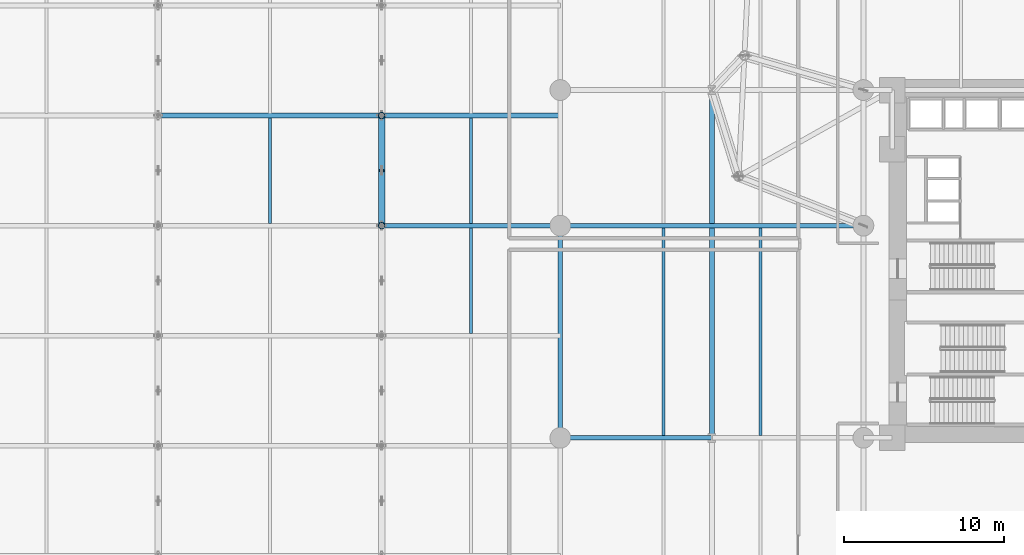
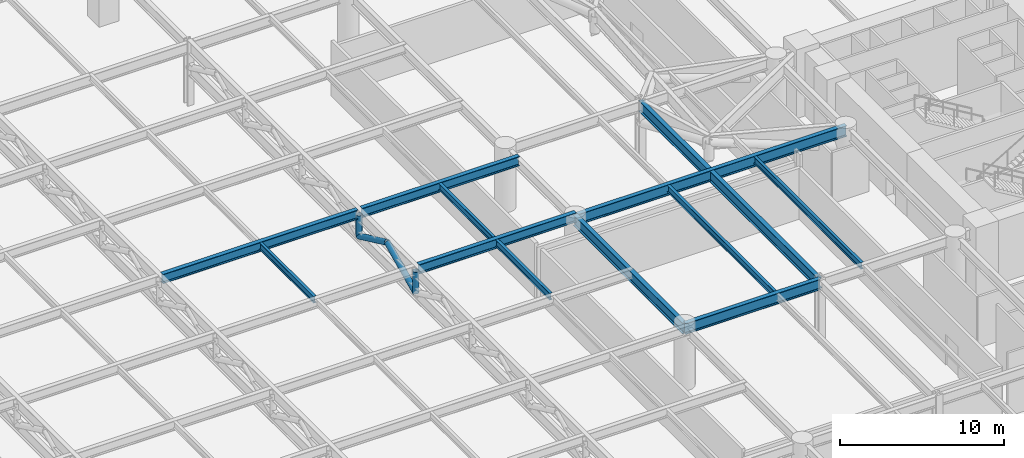
# One storey, part 15 of 40: 12 beams, 4 members.
"""IFC4 building model written with IfcOpenShell, lengths in metres."""

from ifc_helpers import new_model, si_unit, direction, frame, origin, origin_2d, place, context, subcontext, project, spatial, hollow_circle, i_section, extrude, material, material_profile, profile_set, type_object, element, save


model = new_model("IFC4")

# Units and contexts
model_context = context("Model", 3, precision=1e-05, world=origin(), true_north=direction((0.0, 1.0)))
body_context = subcontext(model_context, "Body", "Model", "MODEL_VIEW")
ifc_project = project(units=[si_unit("LENGTHUNIT", "METRE"), si_unit("AREAUNIT", "SQUARE_METRE"), si_unit("VOLUMEUNIT", "CUBIC_METRE"), si_unit("PLANEANGLEUNIT", "RADIAN"), si_unit("MASSUNIT", "GRAM", prefix="KILO")], contexts=[model_context])

# Site, building, storey
site_placement = place(None, origin())
site = spatial("IfcSite", under=ifc_project, at=site_placement, CompositionType="ELEMENT")
building_placement = place(site_placement, origin())
building = spatial("IfcBuilding", under=site, at=building_placement, Name="Narakoshi Arena Tower", CompositionType="ELEMENT")
storey_placement = place(building_placement, frame((0.0, 0.0, 21.60009765625)))
storey = spatial("IfcBuildingStorey", under=building, at=storey_placement, Name="L05", CompositionType="ELEMENT", Elevation=21.60009765625)

# Beams
ifc_material_1 = material(Name="Structural steel S355J2", Category="steel")
ifc_material_profile_1 = material_profile(ifc_material_1, i_section(OverallWidth=0.300048828125, OverallDepth=0.699951171875, WebThickness=0.01708984375, FlangeThickness=0.031982421875, FilletRadius=0.027099609375, at=origin_2d()), Name="HE700B")
ifc_profile_set_1 = profile_set([ifc_material_profile_1], Name="Structural steel S355J2")
beam_type_1 = type_object("IfcBeamType", Name="BM-PRI-700", PredefinedType="BEAM", material=ifc_profile_set_1)
beam_1_placement = place(storey_placement, frame((40.14501953125, 48.0, 4.429931640625), z_axis=(1.0, 0.0, 0.0), x_axis=(0.0, 1.0, 0.0)))
element("IfcBeam", 1, at=beam_1_placement, inside=storey, type_object=beam_type_1, Name="L05 Arena Roof Transverse Girder 4-40", PredefinedType="BEAM", context=body_context, shape_type="SweptSolid", body=[
    extrude(i_section(OverallWidth=0.300048828125, OverallDepth=0.699951171875, WebThickness=0.01708984375, FlangeThickness=0.031982421875, FilletRadius=0.027099609375, at=origin_2d()), origin(), (0.0, 0.0, 1.0), 11.054931640625),
])
beam_2_placement = place(storey_placement, frame((26.14501953125, 54.89990234375, 4.429931640625), z_axis=(1.0, 0.0, 0.0), x_axis=(0.0, 1.0, 0.0)))
element("IfcBeam", 2, at=beam_2_placement, inside=storey, type_object=beam_type_1, Name="L05 Arena Roof Transverse Girder 5-26", PredefinedType="BEAM", context=body_context, shape_type="SweptSolid", body=[
    extrude(i_section(OverallWidth=0.300048828125, OverallDepth=0.699951171875, WebThickness=0.01708984375, FlangeThickness=0.031982421875, FilletRadius=0.027099609375, at=origin_2d()), origin(), (0.0, 0.0, 1.0), 13.7099609375),
])
beam_3_placement = place(storey_placement, frame((40.14501953125, 54.89990234375, 4.429931640625), z_axis=(1.0, 0.0, 0.0), x_axis=(0.0, 1.0, 0.0)))
element("IfcBeam", 3, at=beam_3_placement, inside=storey, type_object=beam_type_1, Name="L05 Arena Roof Transverse Girder 5-40", PredefinedType="BEAM", context=body_context, shape_type="SweptSolid", body=[
    extrude(i_section(OverallWidth=0.300048828125, OverallDepth=0.699951171875, WebThickness=0.01708984375, FlangeThickness=0.031982421875, FilletRadius=0.027099609375, at=origin_2d()), origin(), (0.0, 0.0, 1.0), 11.054931640625),
])
ifc_material_2 = material(Name="Structural steel S460ML", Category="steel")
ifc_material_profile_2 = material_profile(ifc_material_2, i_section(OverallWidth=0.300048828125, OverallDepth=0.800048828125, WebThickness=0.017578125, FlangeThickness=0.032958984375, FilletRadius=0.030029296875, at=origin_2d()), Name="HE800B")
ifc_profile_set_2 = profile_set([ifc_material_profile_2], Name="Structural steel S460ML")
beam_type_2 = type_object("IfcBeamType", Name="BM-PRI-800", PredefinedType="BEAM", material=ifc_profile_set_2)
beam_4_placement = place(storey_placement, frame((51.199951171875, 34.699951171875, 4.199951171875), z_axis=(1.0, 0.0, 0.0), x_axis=(0.0, 1.0, 0.0)))
element("IfcBeam", 4, at=beam_4_placement, inside=storey, type_object=beam_type_2, Name="L05 Podium Primary X-Girder 024", PredefinedType="BEAM", context=body_context, shape_type="SweptSolid", body=[
    extrude(i_section(OverallWidth=0.300048828125, OverallDepth=0.800048828125, WebThickness=0.017578125, FlangeThickness=0.032958984375, FilletRadius=0.030029296875, at=origin_2d()), origin(), (0.0, 0.0, 1.0), 9.5),
])
beam_5_placement = place(storey_placement, frame((51.199951171875, 48.0, 4.199951171875), z_axis=(1.0, 0.0, 0.0), x_axis=(0.0, 1.0, 0.0)))
element("IfcBeam", 5, at=beam_5_placement, inside=storey, type_object=beam_type_2, Name="L05 Podium Primary X-Girder 031", PredefinedType="BEAM", context=body_context, shape_type="SweptSolid", body=[
    extrude(i_section(OverallWidth=0.300048828125, OverallDepth=0.800048828125, WebThickness=0.017578125, FlangeThickness=0.032958984375, FilletRadius=0.030029296875, at=origin_2d()), origin(), (0.0, 0.0, 1.0), 19.0),
])
beam_6_placement = place(storey_placement, frame((51.199951171875, 34.699951171875, 4.199951171875), z_axis=(0.0, 1.0, 0.0), x_axis=(-1.0, 0.0, 0.0)))
element("IfcBeam", 6, at=beam_6_placement, inside=storey, type_object=beam_type_2, Name="L05 Podium Primary Y-Girder 082", PredefinedType="BEAM", context=body_context, shape_type="SweptSolid", body=[
    extrude(i_section(OverallWidth=0.300048828125, OverallDepth=0.800048828125, WebThickness=0.017578125, FlangeThickness=0.032958984375, FilletRadius=0.030029296875, at=origin_2d()), origin(), (0.0, 0.0, 1.0), 13.300048828125),
])
beam_7_placement = place(storey_placement, frame((60.699951171875, 34.699951171875, 4.199951171875), z_axis=(0.0, 1.0, 0.0), x_axis=(-1.0, 0.0, 0.0)))
element("IfcBeam", 7, at=beam_7_placement, inside=storey, type_object=beam_type_2, Name="L05 Podium Primary Y-Girder 087", PredefinedType="BEAM", context=body_context, shape_type="SweptSolid", body=[
    extrude(i_section(OverallWidth=0.300048828125, OverallDepth=0.800048828125, WebThickness=0.017578125, FlangeThickness=0.032958984375, FilletRadius=0.030029296875, at=origin_2d()), origin(), (0.0, 0.0, 1.0), 21.800048828125),
])
ifc_material_profile_3 = material_profile(ifc_material_1, i_section(OverallWidth=0.199951171875, OverallDepth=0.5, WebThickness=0.01025390625, FlangeThickness=0.01611328125, FilletRadius=0.02099609375, at=origin_2d()), Name="IPE500")
ifc_profile_set_3 = profile_set([ifc_material_profile_3], Name="Structural steel S355J2")
beam_type_3 = type_object("IfcBeamType", Name="BM-SEC-500", PredefinedType="JOIST", material=ifc_profile_set_3)
for number, where, z_axis, x_axis, name in (
    (8, (57.659912109375, 34.8349609375, 4.349853515625), (0.0, 1.0, 0.0), (-1.0, 0.0, 0.0), "L05 Podium Composite Floor Joist 011"),
    (9, (63.739990234375, 34.8349609375, 4.349853515625), (0.0, 1.0, 0.0), (-1.0, 0.0, 0.0), "L05 Podium Composite Floor Joist 017"),
):
    element("IfcBeam", number, at=place(storey_placement, frame(where, z_axis=z_axis, x_axis=x_axis)), inside=storey, type_object=beam_type_3, Name=name, PredefinedType="JOIST", context=body_context, shape_type="SweptSolid", body=[
        extrude(i_section(OverallWidth=0.199951171875, OverallDepth=0.5, WebThickness=0.01025390625, FlangeThickness=0.01611328125, FilletRadius=0.02099609375, at=origin_2d()), origin(), (0.0, 0.0, 1.0), 13.030029296875),
    ])
for number, where, z_axis, x_axis, name in (
    (10, (33.0, 48.14501953125, 4.52978515625), (0.0, 1.0, 0.0), (-1.0, 0.0, 0.0), "L05 Arena Roof Secondary Joist 26-5"),
    (11, (45.60009765625, 41.2451171875, 4.52978515625), (0.0, 1.0, 0.0), (-1.0, 0.0, 0.0), "L05 Arena Roof Secondary Joist 40-4"),
    (12, (45.60009765625, 48.14501953125, 4.52978515625), (0.0, 1.0, 0.0), (-1.0, 0.0, 0.0), "L05 Arena Roof Secondary Joist 40-5"),
):
    element("IfcBeam", number, at=place(storey_placement, frame(where, z_axis=z_axis, x_axis=x_axis)), inside=storey, type_object=beam_type_3, Name=name, PredefinedType="JOIST", context=body_context, shape_type="SweptSolid", body=[
        extrude(i_section(OverallWidth=0.199951171875, OverallDepth=0.5, WebThickness=0.01025390625, FlangeThickness=0.01611328125, FilletRadius=0.02099609375, at=origin_2d()), origin(), (0.0, 0.0, 1.0), 6.60986328125),
    ])

# Members
ifc_material_profile_4 = material_profile(ifc_material_2, hollow_circle(Radius=0.203125, WallThickness=0.01611328125, at=origin_2d()), Name="CHS406x16")
ifc_profile_set_4 = profile_set([ifc_material_profile_4], Name="Structural steel S460ML")
member_type = type_object("IfcMemberType", Name="MEM-ARN-406", PredefinedType="CHORD", material=ifc_profile_set_4)
member_1_placement = place(storey_placement, frame((40.0, 48.0, 2.699951171875), z_axis=(0.0, 0.0, 1.0), x_axis=(1.0, 0.0, 0.0)))
element("IfcMember", 13, at=member_1_placement, inside=storey, type_object=member_type, Name="L05 Arena Roof Truss 3 Web Post 5", PredefinedType="CHORD", context=body_context, shape_type="SweptSolid", body=[
    extrude(hollow_circle(Radius=0.203125, WallThickness=0.01611328125, at=origin_2d()), origin(), (0.0, 0.0, 1.0), 1.625),
])
for number, where, z_axis, x_axis, name in (
    (14, (40.0, 48.0, 2.699951171875), (0.0, 0.904667753866, 0.426117654075), (-1.0, 0.0, 0.0), "L05 Arena Roof Truss 3 Web Diagonal 5A"),
    (15, (40.0, 51.449951171875, 4.324951171875), (0.0, 0.904667753866, -0.426117654075), (-1.0, 0.0, 0.0), "L05 Arena Roof Truss 3 Web Diagonal 5B"),
):
    element("IfcMember", number, at=place(storey_placement, frame(where, z_axis=z_axis, x_axis=x_axis)), inside=storey, type_object=member_type, Name=name, PredefinedType="CHORD", context=body_context, shape_type="SweptSolid", body=[
        extrude(hollow_circle(Radius=0.203125, WallThickness=0.01611328125, at=origin_2d()), origin(), (0.0, 0.0, 1.0), 3.8134765625),
    ])
member_2_placement = place(storey_placement, frame((40.0, 54.89990234375, 2.699951171875), z_axis=(0.0, 0.0, 1.0), x_axis=(1.0, 0.0, 0.0)))
element("IfcMember", 16, at=member_2_placement, inside=storey, type_object=member_type, Name="L05 Arena Roof Truss 3 Web Post 6", PredefinedType="CHORD", context=body_context, shape_type="SweptSolid", body=[
    extrude(hollow_circle(Radius=0.203125, WallThickness=0.01611328125, at=origin_2d()), origin(), (0.0, 0.0, 1.0), 1.625),
])

save(model, "model.ifc")
